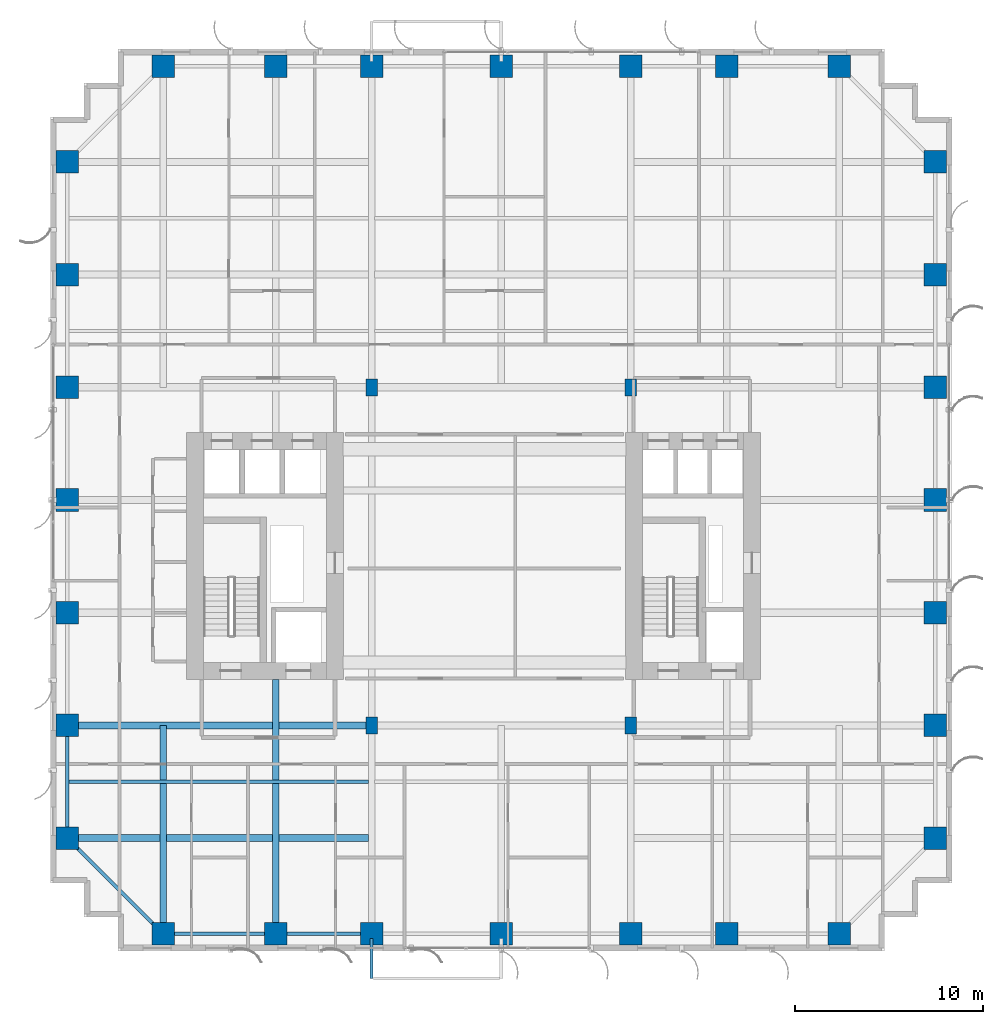
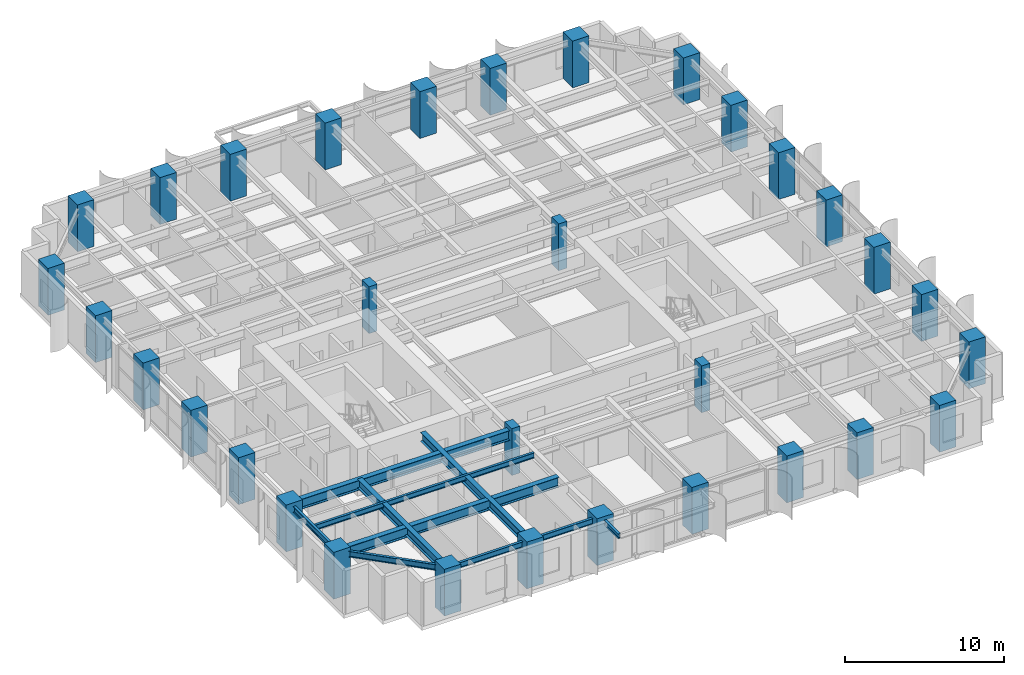
# One storey, part 1 of 22: 32 columns, 10 beams.
"""IFC4 building model written with IfcOpenShell, lengths in metres."""

from ifc_helpers import new_model, si_unit, direction, frame, origin, origin_2d, place, context, subcontext, project, spatial, rectangle, i_section, extrude, source, transform, mapped, material, material_profile, profile_set, type_object, element, save


model = new_model("IFC4")

# Units and contexts
model_context = context("Model", 3, precision=1e-05, world=origin(), true_north=direction((0.0, 1.0)))
body_context = subcontext(model_context, "Body", "Model", "MODEL_VIEW")
ifc_project = project(units=[si_unit("LENGTHUNIT", "METRE"), si_unit("AREAUNIT", "SQUARE_METRE"), si_unit("VOLUMEUNIT", "CUBIC_METRE"), si_unit("PLANEANGLEUNIT", "RADIAN"), si_unit("MASSUNIT", "GRAM", prefix="KILO")], contexts=[model_context])

# Site, building, storey
site_placement = place(None, origin())
site = spatial("IfcSite", under=ifc_project, at=site_placement, CompositionType="ELEMENT")
building_placement = place(site_placement, origin())
building = spatial("IfcBuilding", under=site, at=building_placement, Name="Khoralis Quay Care Tower", CompositionType="ELEMENT")
storey_placement = place(building_placement, frame((0.0, 0.0, 44.10009765625)))
storey = spatial("IfcBuildingStorey", under=building, at=storey_placement, Name="L11", CompositionType="ELEMENT", Elevation=44.10009765625)

# Columns
ifc_material_1 = material(Name="Concrete C80/95", Category="concrete")
ifc_material_profile_1 = material_profile(ifc_material_1, rectangle(XDim=1.199951171875, YDim=1.199951171875, at=origin_2d()), Name="Concrete C80/95")
ifc_profile_set_1 = profile_set([ifc_material_profile_1], Name="Concrete C80/95")
column_type_1 = type_object("IfcColumnType", Name="COL-C1200", PredefinedType="COLUMN", material=ifc_profile_set_1)
shared_shape_1 = source(origin(), body_context, "Body", "SweptSolid", [
    extrude(rectangle(XDim=1.199951171875, YDim=1.199951171875, at=origin_2d()), origin(), (0.0, 0.0, 1.0), 3.599853515625),
])
for number, where, z_axis, x_axis, name in (
    (1, (6.0, 0.89990234375, 0.0), (0.0, 0.0, 1.0), (1.0, 0.0, 0.0), "COL-TWR-L11-01"),
    (2, (6.0, 47.10009765625, 0.0), (0.0, 0.0, 1.0), (1.0, 0.0, 0.0), "COL-TWR-L11-02"),
    (3, (12.0, 0.89990234375, 0.0), (0.0, 0.0, 1.0), (1.0, 0.0, 0.0), "COL-TWR-L11-03"),
    (4, (12.0, 47.10009765625, 0.0), (0.0, 0.0, 1.0), (1.0, 0.0, 0.0), "COL-TWR-L11-04"),
    (5, (17.10009765625, 0.89990234375, 0.0), (0.0, 0.0, 1.0), (1.0, 0.0, 0.0), "COL-TWR-L11-05"),
    (6, (17.10009765625, 47.10009765625, 0.0), (0.0, 0.0, 1.0), (1.0, 0.0, 0.0), "COL-TWR-L11-06"),
    (7, (24.0, 0.89990234375, 0.0), (0.0, 0.0, 1.0), (1.0, 0.0, 0.0), "COL-TWR-L11-07"),
    (8, (24.0, 47.10009765625, 0.0), (0.0, 0.0, 1.0), (1.0, 0.0, 0.0), "COL-TWR-L11-08"),
    (9, (30.89990234375, 0.89990234375, 0.0), (0.0, 0.0, 1.0), (1.0, 0.0, 0.0), "COL-TWR-L11-09"),
    (10, (30.89990234375, 47.10009765625, 0.0), (0.0, 0.0, 1.0), (1.0, 0.0, 0.0), "COL-TWR-L11-10"),
    (11, (36.0, 0.89990234375, 0.0), (0.0, 0.0, 1.0), (1.0, 0.0, 0.0), "COL-TWR-L11-11"),
    (12, (36.0, 47.10009765625, 0.0), (0.0, 0.0, 1.0), (1.0, 0.0, 0.0), "COL-TWR-L11-12"),
    (13, (42.0, 0.89990234375, 0.0), (0.0, 0.0, 1.0), (1.0, 0.0, 0.0), "COL-TWR-L11-13"),
    (14, (42.0, 47.10009765625, 0.0), (0.0, 0.0, 1.0), (1.0, 0.0, 0.0), "COL-TWR-L11-14"),
    (15, (0.89990234375, 6.0, 0.0), (0.0, 0.0, 1.0), (1.0, 0.0, 0.0), "COL-TWR-L11-15"),
    (16, (47.10009765625, 6.0, 0.0), (0.0, 0.0, 1.0), (1.0, 0.0, 0.0), "COL-TWR-L11-16"),
    (17, (0.89990234375, 12.0, 0.0), (0.0, 0.0, 1.0), (1.0, 0.0, 0.0), "COL-TWR-L11-17"),
    (18, (47.10009765625, 12.0, 0.0), (0.0, 0.0, 1.0), (1.0, 0.0, 0.0), "COL-TWR-L11-18"),
    (19, (0.89990234375, 18.0, 0.0), (0.0, 0.0, 1.0), (1.0, 0.0, 0.0), "COL-TWR-L11-19"),
    (20, (47.10009765625, 18.0, 0.0), (0.0, 0.0, 1.0), (1.0, 0.0, 0.0), "COL-TWR-L11-20"),
    (21, (0.89990234375, 24.0, 0.0), (0.0, 0.0, 1.0), (1.0, 0.0, 0.0), "COL-TWR-L11-21"),
    (22, (47.10009765625, 24.0, 0.0), (0.0, 0.0, 1.0), (1.0, 0.0, 0.0), "COL-TWR-L11-22"),
    (23, (0.89990234375, 30.0, 0.0), (0.0, 0.0, 1.0), (1.0, 0.0, 0.0), "COL-TWR-L11-23"),
    (24, (47.10009765625, 30.0, 0.0), (0.0, 0.0, 1.0), (1.0, 0.0, 0.0), "COL-TWR-L11-24"),
    (25, (0.89990234375, 36.0, 0.0), (0.0, 0.0, 1.0), (1.0, 0.0, 0.0), "COL-TWR-L11-25"),
    (26, (47.10009765625, 36.0, 0.0), (0.0, 0.0, 1.0), (1.0, 0.0, 0.0), "COL-TWR-L11-26"),
    (27, (0.89990234375, 42.0, 0.0), (0.0, 0.0, 1.0), (1.0, 0.0, 0.0), "COL-TWR-L11-27"),
    (28, (47.10009765625, 42.0, 0.0), (0.0, 0.0, 1.0), (1.0, 0.0, 0.0), "COL-TWR-L11-28"),
):
    element("IfcColumn", number, at=place(storey_placement, frame(where, z_axis=z_axis, x_axis=x_axis)), inside=storey, type_object=column_type_1, Name=name, PredefinedType="COLUMN", context=body_context, shape_type="MappedRepresentation", body=[
        mapped(shared_shape_1, transform((0.0, 0.0, 0.0), scale=1.0)),
    ])
ifc_material_2 = material(Name="Concrete C65/80", Category="concrete")
ifc_material_profile_2 = material_profile(ifc_material_2, rectangle(XDim=0.60009765625, YDim=0.89990234375, at=origin_2d()), Name="Concrete C65/80")
ifc_profile_set_2 = profile_set([ifc_material_profile_2], Name="Concrete C65/80")
column_type_2 = type_object("IfcColumnType", Name="COL-C600X900", PredefinedType="COLUMN", material=ifc_profile_set_2)
shared_shape_2 = source(origin(), body_context, "Body", "SweptSolid", [
    extrude(rectangle(XDim=0.60009765625, YDim=0.89990234375, at=origin_2d()), origin(), (0.0, 0.0, 1.0), 3.599853515625),
])
for number, where, z_axis, x_axis, name in (
    (29, (17.10009765625, 12.0, 0.0), (0.0, 0.0, 1.0), (1.0, 0.0, 0.0), "COL-TWR-L11-29"),
    (30, (17.10009765625, 30.0, 0.0), (0.0, 0.0, 1.0), (1.0, 0.0, 0.0), "COL-TWR-L11-30"),
    (31, (30.89990234375, 12.0, 0.0), (0.0, 0.0, 1.0), (1.0, 0.0, 0.0), "COL-TWR-L11-31"),
    (32, (30.89990234375, 30.0, 0.0), (0.0, 0.0, 1.0), (1.0, 0.0, 0.0), "COL-TWR-L11-32"),
):
    element("IfcColumn", number, at=place(storey_placement, frame(where, z_axis=z_axis, x_axis=x_axis)), inside=storey, type_object=column_type_2, Name=name, PredefinedType="COLUMN", context=body_context, shape_type="MappedRepresentation", body=[
        mapped(shared_shape_2, transform((0.0, 0.0, 0.0), scale=1.0)),
    ])

# Beams
ifc_material_3 = material(Name="Steel S355", Category="steel")
ifc_material_profile_3 = material_profile(ifc_material_3, i_section(OverallWidth=0.18994140625, OverallDepth=0.449951171875, WebThickness=0.009521484375, FlangeThickness=0.0146484375, FilletRadius=0.02099609375, at=origin_2d()), Name="Steel S355")
ifc_profile_set_3 = profile_set([ifc_material_profile_3], Name="Steel S355")
beam_type_1 = type_object("IfcBeamType", Name="BM-IPE450", PredefinedType="SPANDREL", material=ifc_profile_set_3)
shared_shape_3 = source(origin(), body_context, "Body", "SweptSolid", [
    extrude(i_section(OverallWidth=0.18994140625, OverallDepth=0.449951171875, WebThickness=0.009521484375, FlangeThickness=0.0146484375, FilletRadius=0.02099609375, at=origin_2d()), origin(), (0.0, 0.0, 1.0), 6.0),
])
for number, where, z_axis, x_axis, name in (
    (33, (6.0, 0.89990234375, 3.094970703125), (1.0, 0.0, 0.0), (0.0, 1.0, 0.0), "BM-TSP-L11-01"),
    (34, (0.89990234375, 6.0, 3.094970703125), (0.0, 1.0, 0.0), (-1.0, 0.0, 0.0), "BM-TSP-L11-13"),
):
    element("IfcBeam", number, at=place(storey_placement, frame(where, z_axis=z_axis, x_axis=x_axis)), inside=storey, type_object=beam_type_1, Name=name, PredefinedType="SPANDREL", context=body_context, shape_type="MappedRepresentation", body=[
        mapped(shared_shape_3, transform((0.0, 0.0, 0.0), scale=1.0)),
    ])
shared_shape_4 = source(origin(), body_context, "Body", "SweptSolid", [
    extrude(i_section(OverallWidth=0.18994140625, OverallDepth=0.449951171875, WebThickness=0.009521484375, FlangeThickness=0.0146484375, FilletRadius=0.02099609375, at=origin_2d()), origin(), (0.0, 0.0, 1.0), 5.10009765625),
])
beam_1_placement = place(storey_placement, frame((12.0, 0.89990234375, 3.094970703125), z_axis=(1.0, 0.0, 0.0), x_axis=(0.0, 1.0, 0.0)))
element("IfcBeam", 35, at=beam_1_placement, inside=storey, type_object=beam_type_1, Name="BM-TSP-L11-02", PredefinedType="SPANDREL", context=body_context, shape_type="MappedRepresentation", body=[
    mapped(shared_shape_4, transform((0.0, 0.0, 0.0), scale=1.0)),
])
shared_shape_5 = source(origin(), body_context, "Body", "SweptSolid", [
    extrude(i_section(OverallWidth=0.18994140625, OverallDepth=0.449951171875, WebThickness=0.009521484375, FlangeThickness=0.0146484375, FilletRadius=0.02099609375, at=origin_2d()), origin(), (0.0, 0.0, 1.0), 7.212646484375),
])
beam_2_placement = place(storey_placement, frame((6.0, 0.89990234375, 3.094970703125), z_axis=(-0.707106781187, 0.707106781187, 0.0), x_axis=(-0.707106781187, -0.707106781187, 0.0)))
element("IfcBeam", 36, at=beam_2_placement, inside=storey, type_object=beam_type_1, Name="BM-TCR-L11-25", PredefinedType="SPANDREL", context=body_context, shape_type="MappedRepresentation", body=[
    mapped(shared_shape_5, transform((0.0, 0.0, 0.0), scale=1.0)),
])
ifc_material_profile_4 = material_profile(ifc_material_3, i_section(OverallWidth=0.381103515625, OverallDepth=0.77294921875, WebThickness=0.0166015625, FlangeThickness=0.027587890625, FilletRadius=0.02197265625, at=origin_2d()), Name="Steel S355")
ifc_profile_set_4 = profile_set([ifc_material_profile_4], Name="Steel S355")
beam_type_2 = type_object("IfcBeamType", Name="BM-W760X257", PredefinedType="BEAM", material=ifc_profile_set_4)
shared_shape_6 = source(origin(), body_context, "Body", "SweptSolid", [
    extrude(i_section(OverallWidth=0.381103515625, OverallDepth=0.77294921875, WebThickness=0.0166015625, FlangeThickness=0.027587890625, FilletRadius=0.02197265625, at=origin_2d()), origin(), (0.0, 0.0, 1.0), 16.03466796875),
])
beam_3_placement = place(storey_placement, frame((0.89990234375, 6.0, 2.933349609375), z_axis=(1.0, 0.0, 0.0), x_axis=(0.0, 1.0, 0.0)))
element("IfcBeam", 37, at=beam_3_placement, inside=storey, type_object=beam_type_2, Name="BM-TGXW-L11-60", PredefinedType="BEAM", context=body_context, shape_type="MappedRepresentation", body=[
    mapped(shared_shape_6, transform((0.0, 0.0, 0.0), scale=1.0)),
])
shared_shape_7 = source(origin(), body_context, "Body", "SweptSolid", [
    extrude(i_section(OverallWidth=0.381103515625, OverallDepth=0.77294921875, WebThickness=0.0166015625, FlangeThickness=0.027587890625, FilletRadius=0.02197265625, at=origin_2d()), origin(), (0.0, 0.0, 1.0), 16.2001953125),
])
beam_4_placement = place(storey_placement, frame((0.89990234375, 12.0, 2.933349609375), z_axis=(1.0, 0.0, 0.0), x_axis=(0.0, 1.0, 0.0)))
element("IfcBeam", 38, at=beam_4_placement, inside=storey, type_object=beam_type_2, Name="BM-TGXW-L11-120", PredefinedType="BEAM", context=body_context, shape_type="MappedRepresentation", body=[
    mapped(shared_shape_7, transform((0.0, 0.0, 0.0), scale=1.0)),
])
ifc_material_profile_5 = material_profile(ifc_material_3, i_section(OverallWidth=0.35498046875, OverallDepth=0.695068359375, WebThickness=0.015380859375, FlangeThickness=0.02490234375, FilletRadius=0.02001953125, at=origin_2d()), Name="Steel S355")
ifc_profile_set_5 = profile_set([ifc_material_profile_5], Name="Steel S355")
beam_type_3 = type_object("IfcBeamType", Name="BM-W690X217", PredefinedType="BEAM", material=ifc_profile_set_5)
shared_shape_8 = source(origin(), body_context, "Body", "SweptSolid", [
    extrude(i_section(OverallWidth=0.35498046875, OverallDepth=0.695068359375, WebThickness=0.015380859375, FlangeThickness=0.02490234375, FilletRadius=0.02001953125, at=origin_2d()), origin(), (0.0, 0.0, 1.0), 11.10009765625),
])
beam_5_placement = place(storey_placement, frame((6.0, 0.89990234375, 2.972412109375), z_axis=(0.0, 1.0, 0.0), x_axis=(-1.0, 0.0, 0.0)))
element("IfcBeam", 39, at=beam_5_placement, inside=storey, type_object=beam_type_3, Name="BM-TGYS-L11-60", PredefinedType="BEAM", context=body_context, shape_type="MappedRepresentation", body=[
    mapped(shared_shape_8, transform((0.0, 0.0, 0.0), scale=1.0)),
])
shared_shape_9 = source(origin(), body_context, "Body", "SweptSolid", [
    extrude(i_section(OverallWidth=0.35498046875, OverallDepth=0.695068359375, WebThickness=0.015380859375, FlangeThickness=0.02490234375, FilletRadius=0.02001953125, at=origin_2d()), origin(), (0.0, 0.0, 1.0), 13.552001953125),
])
beam_6_placement = place(storey_placement, frame((12.0, 0.89990234375, 2.972412109375), z_axis=(0.0, 1.0, 0.0), x_axis=(-1.0, 0.0, 0.0)))
element("IfcBeam", 40, at=beam_6_placement, inside=storey, type_object=beam_type_3, Name="BM-TGYS-L11-120", PredefinedType="BEAM", context=body_context, shape_type="MappedRepresentation", body=[
    mapped(shared_shape_9, transform((0.0, 0.0, 0.0), scale=1.0)),
])
ifc_material_profile_6 = material_profile(ifc_material_3, i_section(OverallWidth=0.177978515625, OverallDepth=0.406982421875, WebThickness=0.0078125, FlangeThickness=0.0126953125, FilletRadius=0.012939453125, at=origin_2d()), Name="Steel S355")
ifc_profile_set_6 = profile_set([ifc_material_profile_6], Name="Steel S355")
beam_type_4 = type_object("IfcBeamType", Name="BM-W410X60", PredefinedType="JOIST", material=ifc_profile_set_6)
shared_shape_10 = source(origin(), body_context, "Body", "SweptSolid", [
    extrude(i_section(OverallWidth=0.177978515625, OverallDepth=0.406982421875, WebThickness=0.0078125, FlangeThickness=0.0126953125, FilletRadius=0.012939453125, at=origin_2d()), origin(), (0.0, 0.0, 1.0), 15.95361328125),
])
beam_7_placement = place(storey_placement, frame((0.98095703125, 9.0, 3.116455078125), z_axis=(1.0, 0.0, 0.0), x_axis=(0.0, 1.0, 0.0)))
element("IfcBeam", 41, at=beam_7_placement, inside=storey, type_object=beam_type_4, Name="BM-TJS-L11-29", PredefinedType="JOIST", context=body_context, shape_type="MappedRepresentation", body=[
    mapped(shared_shape_10, transform((0.0, 0.0, 0.0), scale=1.0)),
])
ifc_material_profile_7 = material_profile(ifc_material_3, i_section(OverallWidth=0.169921875, OverallDepth=0.360107421875, WebThickness=0.008056640625, FlangeThickness=0.0126953125, FilletRadius=0.01806640625, at=origin_2d()), Name="Steel S355")
ifc_profile_set_7 = profile_set([ifc_material_profile_7], Name="Steel S355")
beam_type_5 = type_object("IfcBeamType", Name="BM-IPE360", PredefinedType="SPANDREL", material=ifc_profile_set_7)
shared_shape_11 = source(origin(), body_context, "Body", "SweptSolid", [
    extrude(i_section(OverallWidth=0.169921875, OverallDepth=0.360107421875, WebThickness=0.008056640625, FlangeThickness=0.0126953125, FilletRadius=0.01806640625, at=origin_2d()), origin(), (0.0, 0.0, 1.0), 2.119873046875),
])
beam_8_placement = place(storey_placement, frame((17.10009765625, 0.64990234375, 3.143798828125), z_axis=(0.0, -1.0, 0.0), x_axis=(1.0, 0.0, 0.0)))
element("IfcBeam", 42, at=beam_8_placement, inside=storey, type_object=beam_type_5, Name="L12 Balcony Cantilever Outrigger Beam 1", PredefinedType="SPANDREL", context=body_context, shape_type="MappedRepresentation", body=[
    mapped(shared_shape_11, transform((0.0, 0.0, 0.0), scale=1.0)),
])

save(model, "model.ifc")
